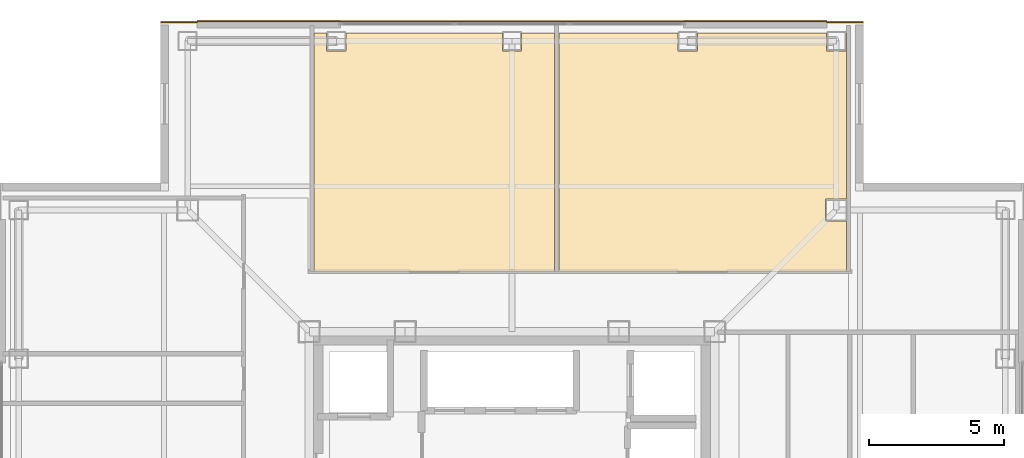
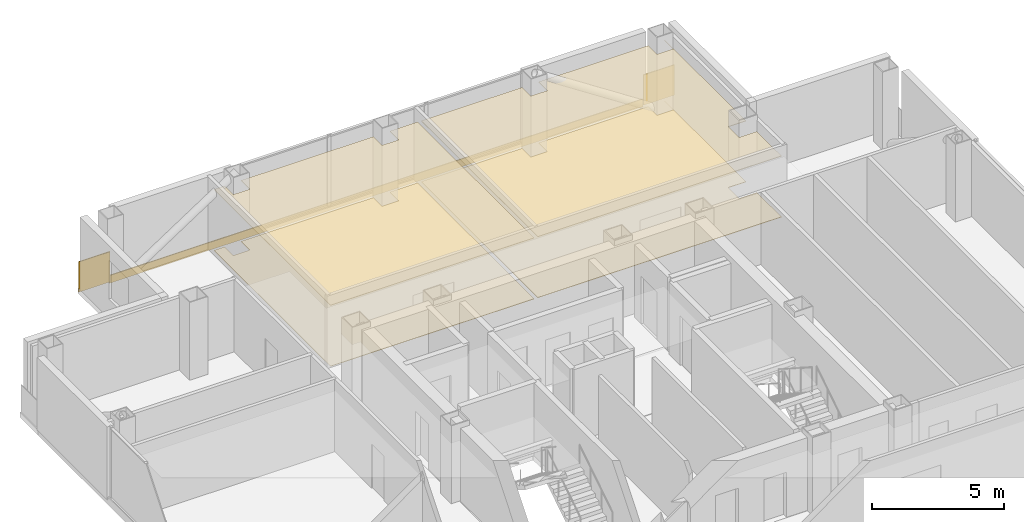
# One storey, part 16 of 16: 7 coverings.
"""IFC4 building model written with IfcOpenShell, lengths in metres."""

from ifc_helpers import new_model, si_unit, direction, frame, frame_2d, origin, place, context, subcontext, project, spatial, polyline, rectangle, outline, extrude, material, layer, layer_set, type_object, element, save


model = new_model("IFC4")

# Units and contexts
model_context = context("Model", 3, precision=1e-05, world=origin(), true_north=direction((0.0, 1.0)))
body_context = subcontext(model_context, "Body", "Model", "MODEL_VIEW")
ifc_project = project(units=[si_unit("LENGTHUNIT", "METRE"), si_unit("AREAUNIT", "SQUARE_METRE"), si_unit("VOLUMEUNIT", "CUBIC_METRE"), si_unit("PLANEANGLEUNIT", "RADIAN"), si_unit("MASSUNIT", "GRAM", prefix="KILO")], contexts=[model_context])

# Site, building, storey
site_placement = place(None, origin())
site = spatial("IfcSite", under=ifc_project, at=site_placement, CompositionType="ELEMENT")
building_placement = place(site_placement, origin())
building = spatial("IfcBuilding", under=site, at=building_placement, Name="Trevonay Congress Spire", CompositionType="ELEMENT")
storey_placement = place(building_placement, frame((0.0, 0.0, 279.199951171875)))
storey = spatial("IfcBuildingStorey", under=building, at=storey_placement, Name="L73", CompositionType="ELEMENT", Elevation=279.199951171875)

# Coverings
ifc_material_1 = material(Name="Acoustic Mineral Fibre Board", Category="gypsum")
ifc_layer_1 = layer(ifc_material_1, 0.02490234375, Name="Acoustic Mineral Fibre Board")
ifc_layer_set_1 = layer_set([ifc_layer_1], Name="Acoustic Mineral Fibre Board")
covering_type_1 = type_object("IfcCoveringType", Name="COV-CEIL-ACOUSTIC", PredefinedType="CEILING", material=ifc_layer_set_1)
covering_1_placement = place(storey_placement, frame((0.0, 0.0, 2.81005859375)))
element("IfcCovering", 1, at=covering_1_placement, inside=storey, type_object=covering_type_1, Name="L73 Partner Dining Room acoustic suspended ceiling", PredefinedType="CEILING", context=body_context, shape_type="SweptSolid", body=[
    extrude(outline(polyline([(1.570068359375, 18.550048828125), (1.570068359375, 9.72998046875), (-7.320068359375, 9.72998046875), (-7.320068359375, 18.550048828125), (-6.860107421875, 18.550048828125), (-6.860107421875, 17.889892578125), (-6.139892578125, 17.889892578125), (-6.139892578125, 18.550048828125), (-0.360107421875, 18.550048828125), (-0.360107421875, 17.889892578125), (0.360107421875, 17.889892578125), (0.360107421875, 18.550048828125), (1.570068359375, 18.550048828125)])), origin(), (0.0, 0.0, 1.0), 0.02490234375),
])
covering_2_placement = place(storey_placement, frame((0.0, 0.0, 2.81005859375)))
element("IfcCovering", 2, at=covering_2_placement, inside=storey, type_object=covering_type_1, Name="L73 Finishing Pantry Kitchen acoustic suspended ceiling", PredefinedType="CEILING", context=body_context, shape_type="SweptSolid", body=[
    extrude(outline(polyline([(12.3701171875, 9.72998046875), (1.72998046875, 9.72998046875), (1.72998046875, 18.550048828125), (6.139892578125, 18.550048828125), (6.139892578125, 17.889892578125), (6.860107421875, 17.889892578125), (6.860107421875, 18.550048828125), (11.639892578125, 18.550048828125), (11.639892578125, 17.889892578125), (12.360107421875, 17.889892578125), (12.360107421875, 18.550048828125), (12.3701171875, 18.550048828125), (12.3701171875, 12.409912109375), (11.590087890625, 12.409912109375), (11.590087890625, 11.590087890625), (12.3701171875, 11.590087890625), (12.3701171875, 9.72998046875)])), origin(), (0.0, 0.0, 1.0), 0.02490234375),
])
ifc_material_2 = material(Name="Polished Granite Floor Tile", Category="masonry")
ifc_layer_2 = layer(ifc_material_2, 0.02001953125, Name="Polished Granite Floor Tile")
ifc_layer_set_2 = layer_set([ifc_layer_2], Name="Polished Granite Floor Tile")
covering_type_2 = type_object("IfcCoveringType", Name="COV-FLOOR-STONE", PredefinedType="FLOORING", material=ifc_layer_set_2)
covering_3_placement = place(storey_placement, origin())
element("IfcCovering", 3, at=covering_3_placement, inside=storey, type_object=covering_type_2, Name="L73 Partner Dining Room floor finish", PredefinedType="FLOORING", context=body_context, shape_type="SweptSolid", body=[
    extrude(outline(polyline([(1.570068359375, 18.550048828125), (1.570068359375, 9.72998046875), (-7.320068359375, 9.72998046875), (-7.320068359375, 18.550048828125), (-6.860107421875, 18.550048828125), (-6.860107421875, 17.889892578125), (-6.139892578125, 17.889892578125), (-6.139892578125, 18.550048828125), (-0.360107421875, 18.550048828125), (-0.360107421875, 17.889892578125), (0.360107421875, 17.889892578125), (0.360107421875, 18.550048828125), (1.570068359375, 18.550048828125)])), origin(), (0.0, 0.0, 1.0), 0.02001953125),
])
covering_4_placement = place(storey_placement, origin())
element("IfcCovering", 4, at=covering_4_placement, inside=storey, type_object=covering_type_2, Name="L73 Finishing Pantry Kitchen floor finish", PredefinedType="FLOORING", context=body_context, shape_type="SweptSolid", body=[
    extrude(outline(polyline([(12.3701171875, 9.72998046875), (1.72998046875, 9.72998046875), (1.72998046875, 18.550048828125), (6.139892578125, 18.550048828125), (6.139892578125, 17.889892578125), (6.860107421875, 17.889892578125), (6.860107421875, 18.550048828125), (11.639892578125, 18.550048828125), (11.639892578125, 17.889892578125), (12.360107421875, 17.889892578125), (12.360107421875, 18.550048828125), (12.3701171875, 18.550048828125), (12.3701171875, 12.409912109375), (11.590087890625, 12.409912109375), (11.590087890625, 11.590087890625), (12.3701171875, 11.590087890625), (12.3701171875, 9.72998046875)])), origin(), (0.0, 0.0, 1.0), 0.02001953125),
])
ifc_material_3 = material(Name="Pale Anodised Aluminium EN AW-6063-T6", Category="aluminium")
ifc_layer_3 = layer(ifc_material_3, 0.0400390625, Name="Pale Anodised Aluminium EN AW-6063-T6")
ifc_layer_set_3 = layer_set([ifc_layer_3], Name="Pale Anodised Aluminium EN AW-6063-T6")
covering_type_3 = type_object("IfcCoveringType", Name="COV-SPANDREL-PALE-METAL", PredefinedType="CLADDING", material=ifc_layer_set_3)
covering_5_placement = place(storey_placement, frame((-11.64990234375, 18.97998046875, -0.239990234375), z_axis=(0.0, 0.0, 1.0), x_axis=(1.0, 0.0, 0.0)))
element("IfcCovering", 5, at=covering_5_placement, inside=storey, type_object=covering_type_3, Name="L73 N pale-metal slab-edge spandrel cladding", PredefinedType="CLADDING", context=body_context, shape_type="SweptSolid", body=[
    extrude(rectangle(XDim=23.2998046875, YDim=0.0400390625, at=frame_2d((11.64990234375, 0.0))), origin(), (0.0, 0.0, 1.0), 0.360107421875),
])
for number, where, z_axis, x_axis, name in (
    (6, (11.64990234375, 18.93994140625, -0.14990234375), (0.0, 0.0, 1.0), (1.0, 0.0, 0.0), "L73 NE corner pier spandrel cladding 2"),
    (7, (-11.64990234375, 18.93994140625, -0.14990234375), (0.0, 0.0, 1.0), (-1.0, 0.0, 0.0), "L73 NW corner pier spandrel cladding 2"),
):
    element("IfcCovering", number, at=place(storey_placement, frame(where, z_axis=z_axis, x_axis=x_axis)), inside=storey, type_object=covering_type_3, Name=name, PredefinedType="CLADDING", context=body_context, shape_type="SweptSolid", body=[
        extrude(rectangle(XDim=1.35009765625, YDim=0.0400390625, at=frame_2d((0.675048828125, 0.0))), origin(), (0.0, 0.0, 1.0), 1.39990234375),
    ])

save(model, "model.ifc")
